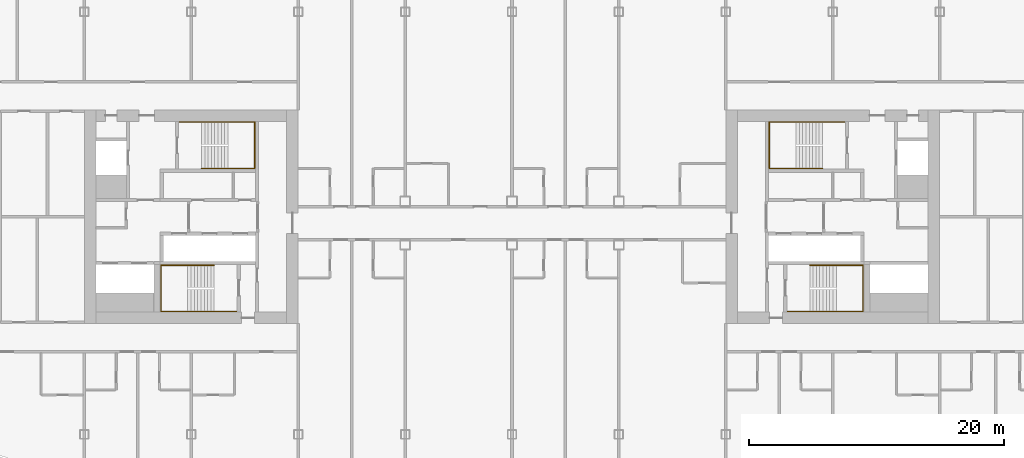
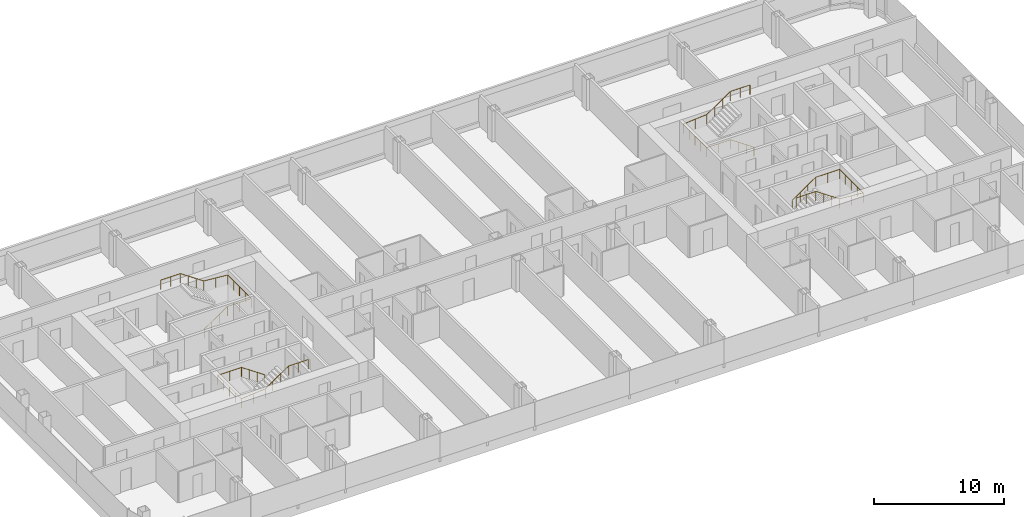
# One storey, part 26 of 26: 4 railings.
"""IFC4 building model written with IfcOpenShell, lengths in metres."""

from ifc_helpers import new_model, si_unit, direction, frame, origin, origin_2d, place, context, subcontext, project, spatial, circle, extrude, material, type_object, element, save


model = new_model("IFC4")

# Units and contexts
model_context = context("Model", 3, precision=1e-05, world=origin(), true_north=direction((0.0, 1.0)))
body_context = subcontext(model_context, "Body", "Model", "MODEL_VIEW")
ifc_project = project(units=[si_unit("LENGTHUNIT", "METRE"), si_unit("AREAUNIT", "SQUARE_METRE"), si_unit("VOLUMEUNIT", "CUBIC_METRE"), si_unit("PLANEANGLEUNIT", "RADIAN"), si_unit("MASSUNIT", "GRAM", prefix="KILO")], contexts=[model_context])

# Site, building, storey
site_placement = place(None, origin())
site = spatial("IfcSite", under=ifc_project, at=site_placement, CompositionType="ELEMENT")
building_placement = place(site_placement, origin())
building = spatial("IfcBuilding", under=site, at=building_placement, Name="Hakoniwa Tower and Hamabe Station Hall", CompositionType="ELEMENT")
storey_placement = place(building_placement, frame((0.0, 0.0, 172.60009765625)))
storey = spatial("IfcBuildingStorey", under=building, at=storey_placement, Name="L49", CompositionType="ELEMENT", Elevation=172.60009765625)

# Railings
ifc_material = material(Name="Stainless steel SUS304", Category="steel")
railing_type = type_object("IfcRailingType", Name="STAIR HANDRAIL 900", PredefinedType="HANDRAIL", material=ifc_material)
railing_1_placement = place(storey_placement, frame((-24.39990234375, 3.81005859375, 0.177734375)))
element("IfcRailing", 1, at=railing_1_placement, inside=storey, type_object=railing_type, Name="Handrail ST-1 L49 1", PredefinedType="HANDRAIL", context=body_context, shape_type="SweptSolid", body=[
    extrude(circle(Radius=0.02392578125, at=origin_2d()), frame((0.0, 0.0, 0.8759765625), z_axis=(0.825478349766, 0.0, 0.564433781827), x_axis=(0.0, 1.0, 0.0)), (0.0, 0.0, 1.0), 2.51953125),
    extrude(circle(Radius=0.02392578125, at=origin_2d()), frame((2.079833984375, 0.0, 2.2978515625), z_axis=(1.0, 0.0, 0.0), x_axis=(0.0, 1.0, 0.0)), (0.0, 0.0, 1.0), 2.110107421875),
    extrude(circle(Radius=0.02392578125, at=origin_2d()), frame((4.18994140625, 0.0, 2.2978515625), z_axis=(0.0, 1.0, 0.0), x_axis=(-1.0, 0.0, 0.0)), (0.0, 0.0, 1.0), 3.6298828125),
    extrude(circle(Radius=0.02392578125, at=origin_2d()), frame((4.18994140625, 3.6298828125, 2.2978515625), z_axis=(-0.996471417081, 0.0, 0.083932800143), x_axis=(0.0, -1.0, 0.0)), (0.0, 0.0, 1.0), 2.11767578125),
    extrude(circle(Radius=0.02392578125, at=origin_2d()), frame((2.079833984375, 3.6298828125, 2.4755859375), z_axis=(-0.825433201882, 0.0, 0.564499804456), x_axis=(0.0, -1.0, 0.0)), (0.0, 0.0, 1.0), 2.519775390625),
    extrude(circle(Radius=0.02392578125, at=origin_2d()), frame((0.0, 3.6298828125, 3.89794921875), z_axis=(-1.0, 0.0, 0.0), x_axis=(0.0, -1.0, 0.0)), (0.0, 0.0, 1.0), 1.739990234375),
    extrude(circle(Radius=0.02099609375, at=origin_2d()), origin(), (0.0, 0.0, 1.0), 0.851806640625),
    extrude(circle(Radius=0.02099609375, at=origin_2d()), frame((0.693359375, 0.0, 0.47412109375)), (0.0, 0.0, 1.0), 0.851806640625),
    extrude(circle(Radius=0.02099609375, at=origin_2d()), frame((1.386474609375, 0.0, 0.947998046875)), (0.0, 0.0, 1.0), 0.851806640625),
    extrude(circle(Radius=0.02099609375, at=origin_2d()), frame((2.079833984375, 0.0, 1.422119140625)), (0.0, 0.0, 1.0), 0.851806640625),
    extrude(circle(Radius=0.02099609375, at=origin_2d()), frame((3.134765625, 0.0, 1.422119140625)), (0.0, 0.0, 1.0), 0.851806640625),
    extrude(circle(Radius=0.02099609375, at=origin_2d()), frame((4.18994140625, 0.0, 1.422119140625)), (0.0, 0.0, 1.0), 0.851806640625),
    extrude(circle(Radius=0.02099609375, at=origin_2d()), frame((4.18994140625, 0.907470703125, 1.422119140625)), (0.0, 0.0, 1.0), 0.851806640625),
    extrude(circle(Radius=0.02099609375, at=origin_2d()), frame((4.18994140625, 1.81494140625, 1.422119140625)), (0.0, 0.0, 1.0), 0.851806640625),
    extrude(circle(Radius=0.02099609375, at=origin_2d()), frame((4.18994140625, 2.722412109375, 1.422119140625)), (0.0, 0.0, 1.0), 0.851806640625),
    extrude(circle(Radius=0.02099609375, at=origin_2d()), frame((4.18994140625, 3.6298828125, 1.422119140625)), (0.0, 0.0, 1.0), 0.851806640625),
    extrude(circle(Radius=0.02099609375, at=origin_2d()), frame((3.134765625, 3.6298828125, 1.510986328125)), (0.0, 0.0, 1.0), 0.851806640625),
    extrude(circle(Radius=0.02099609375, at=origin_2d()), frame((2.079833984375, 3.6298828125, 1.599853515625)), (0.0, 0.0, 1.0), 0.851806640625),
    extrude(circle(Radius=0.02099609375, at=origin_2d()), frame((1.386474609375, 3.6298828125, 2.073974609375)), (0.0, 0.0, 1.0), 0.851806640625),
    extrude(circle(Radius=0.02099609375, at=origin_2d()), frame((0.693359375, 3.6298828125, 2.548095703125)), (0.0, 0.0, 1.0), 0.851806640625),
    extrude(circle(Radius=0.02099609375, at=origin_2d()), frame((0.0, 3.6298828125, 3.022216796875)), (0.0, 0.0, 1.0), 0.851806640625),
    extrude(circle(Radius=0.02099609375, at=origin_2d()), frame((-0.8701171875, 3.6298828125, 3.022216796875)), (0.0, 0.0, 1.0), 0.851806640625),
    extrude(circle(Radius=0.02099609375, at=origin_2d()), frame((-1.739990234375, 3.6298828125, 3.022216796875)), (0.0, 0.0, 1.0), 0.851806640625),
])
railing_2_placement = place(storey_placement, frame((-23.39990234375, -3.81005859375, 0.177734375)))
element("IfcRailing", 2, at=railing_2_placement, inside=storey, type_object=railing_type, Name="Handrail ST-2 L49 1", PredefinedType="HANDRAIL", context=body_context, shape_type="SweptSolid", body=[
    extrude(circle(Radius=0.02392578125, at=origin_2d()), frame((0.0, 0.0, 0.8759765625), z_axis=(-0.82550921652, 0.0, 0.564388636881), x_axis=(0.0, -1.0, 0.0)), (0.0, 0.0, 1.0), 2.519775390625),
    extrude(circle(Radius=0.02392578125, at=origin_2d()), frame((-2.080078125, 0.0, 2.2978515625), z_axis=(-1.0, 0.0, 0.0), x_axis=(0.0, -1.0, 0.0)), (0.0, 0.0, 1.0), 2.110107421875),
    extrude(circle(Radius=0.02392578125, at=origin_2d()), frame((-4.190185546875, 0.0, 2.2978515625), z_axis=(0.0, -1.0, 0.0), x_axis=(1.0, 0.0, 0.0)), (0.0, 0.0, 1.0), 3.6298828125),
    extrude(circle(Radius=0.02392578125, at=origin_2d()), frame((-4.190185546875, -3.6298828125, 2.2978515625), z_axis=(0.996471417081, 0.0, 0.083932800143), x_axis=(0.0, 1.0, 0.0)), (0.0, 0.0, 1.0), 2.11767578125),
    extrude(circle(Radius=0.02392578125, at=origin_2d()), frame((-2.080078125, -3.6298828125, 2.4755859375), z_axis=(0.825464074169, 0.0, 0.564454659168), x_axis=(0.0, 1.0, 0.0)), (0.0, 0.0, 1.0), 2.519775390625),
    extrude(circle(Radius=0.02392578125, at=origin_2d()), frame((0.0, -3.6298828125, 3.89794921875), z_axis=(1.0, 0.0, 0.0), x_axis=(0.0, 1.0, 0.0)), (0.0, 0.0, 1.0), 1.739990234375),
    extrude(circle(Radius=0.02099609375, at=origin_2d()), origin(), (0.0, 0.0, 1.0), 0.851806640625),
    extrude(circle(Radius=0.02099609375, at=origin_2d()), frame((-0.693359375, 0.0, 0.47412109375)), (0.0, 0.0, 1.0), 0.851806640625),
    extrude(circle(Radius=0.02099609375, at=origin_2d()), frame((-1.38671875, 0.0, 0.947998046875)), (0.0, 0.0, 1.0), 0.851806640625),
    extrude(circle(Radius=0.02099609375, at=origin_2d()), frame((-2.080078125, 0.0, 1.422119140625)), (0.0, 0.0, 1.0), 0.851806640625),
    extrude(circle(Radius=0.02099609375, at=origin_2d()), frame((-3.13525390625, 0.0, 1.422119140625)), (0.0, 0.0, 1.0), 0.851806640625),
    extrude(circle(Radius=0.02099609375, at=origin_2d()), frame((-4.190185546875, 0.0, 1.422119140625)), (0.0, 0.0, 1.0), 0.851806640625),
    extrude(circle(Radius=0.02099609375, at=origin_2d()), frame((-4.190185546875, -0.907470703125, 1.422119140625)), (0.0, 0.0, 1.0), 0.851806640625),
    extrude(circle(Radius=0.02099609375, at=origin_2d()), frame((-4.190185546875, -1.81494140625, 1.422119140625)), (0.0, 0.0, 1.0), 0.851806640625),
    extrude(circle(Radius=0.02099609375, at=origin_2d()), frame((-4.190185546875, -2.722412109375, 1.422119140625)), (0.0, 0.0, 1.0), 0.851806640625),
    extrude(circle(Radius=0.02099609375, at=origin_2d()), frame((-4.190185546875, -3.6298828125, 1.422119140625)), (0.0, 0.0, 1.0), 0.851806640625),
    extrude(circle(Radius=0.02099609375, at=origin_2d()), frame((-3.13525390625, -3.6298828125, 1.510986328125)), (0.0, 0.0, 1.0), 0.851806640625),
    extrude(circle(Radius=0.02099609375, at=origin_2d()), frame((-2.080078125, -3.6298828125, 1.599853515625)), (0.0, 0.0, 1.0), 0.851806640625),
    extrude(circle(Radius=0.02099609375, at=origin_2d()), frame((-1.38671875, -3.6298828125, 2.073974609375)), (0.0, 0.0, 1.0), 0.851806640625),
    extrude(circle(Radius=0.02099609375, at=origin_2d()), frame((-0.693359375, -3.6298828125, 2.548095703125)), (0.0, 0.0, 1.0), 0.851806640625),
    extrude(circle(Radius=0.02099609375, at=origin_2d()), frame((0.0, -3.6298828125, 3.022216796875)), (0.0, 0.0, 1.0), 0.851806640625),
    extrude(circle(Radius=0.02099609375, at=origin_2d()), frame((0.8701171875, -3.6298828125, 3.022216796875)), (0.0, 0.0, 1.0), 0.851806640625),
    extrude(circle(Radius=0.02099609375, at=origin_2d()), frame((1.739990234375, -3.6298828125, 3.022216796875)), (0.0, 0.0, 1.0), 0.851806640625),
])
railing_3_placement = place(storey_placement, frame((24.39990234375, 3.81005859375, 0.177734375)))
element("IfcRailing", 3, at=railing_3_placement, inside=storey, type_object=railing_type, Name="Handrail ST-3 L49 1", PredefinedType="HANDRAIL", context=body_context, shape_type="SweptSolid", body=[
    extrude(circle(Radius=0.02392578125, at=origin_2d()), frame((0.0, 0.0, 0.8759765625), z_axis=(-0.825478349766, 0.0, 0.564433781827), x_axis=(0.0, -1.0, 0.0)), (0.0, 0.0, 1.0), 2.51953125),
    extrude(circle(Radius=0.02392578125, at=origin_2d()), frame((-2.079833984375, 0.0, 2.2978515625), z_axis=(-1.0, 0.0, 0.0), x_axis=(0.0, -1.0, 0.0)), (0.0, 0.0, 1.0), 2.110107421875),
    extrude(circle(Radius=0.02392578125, at=origin_2d()), frame((-4.18994140625, 0.0, 2.2978515625), z_axis=(0.0, 1.0, 0.0), x_axis=(-1.0, 0.0, 0.0)), (0.0, 0.0, 1.0), 3.6298828125),
    extrude(circle(Radius=0.02392578125, at=origin_2d()), frame((-4.18994140625, 3.6298828125, 2.2978515625), z_axis=(0.996471417081, 0.0, 0.083932800143), x_axis=(0.0, 1.0, 0.0)), (0.0, 0.0, 1.0), 2.11767578125),
    extrude(circle(Radius=0.02392578125, at=origin_2d()), frame((-2.079833984375, 3.6298828125, 2.4755859375), z_axis=(0.825433201882, 0.0, 0.564499804456), x_axis=(0.0, 1.0, 0.0)), (0.0, 0.0, 1.0), 2.519775390625),
    extrude(circle(Radius=0.02392578125, at=origin_2d()), frame((0.0, 3.6298828125, 3.89794921875), z_axis=(1.0, 0.0, 0.0), x_axis=(0.0, 1.0, 0.0)), (0.0, 0.0, 1.0), 1.739990234375),
    extrude(circle(Radius=0.02099609375, at=origin_2d()), origin(), (0.0, 0.0, 1.0), 0.851806640625),
    extrude(circle(Radius=0.02099609375, at=origin_2d()), frame((-0.693359375, 0.0, 0.47412109375)), (0.0, 0.0, 1.0), 0.851806640625),
    extrude(circle(Radius=0.02099609375, at=origin_2d()), frame((-1.386474609375, 0.0, 0.947998046875)), (0.0, 0.0, 1.0), 0.851806640625),
    extrude(circle(Radius=0.02099609375, at=origin_2d()), frame((-2.079833984375, 0.0, 1.422119140625)), (0.0, 0.0, 1.0), 0.851806640625),
    extrude(circle(Radius=0.02099609375, at=origin_2d()), frame((-3.134765625, 0.0, 1.422119140625)), (0.0, 0.0, 1.0), 0.851806640625),
    extrude(circle(Radius=0.02099609375, at=origin_2d()), frame((-4.18994140625, 0.0, 1.422119140625)), (0.0, 0.0, 1.0), 0.851806640625),
    extrude(circle(Radius=0.02099609375, at=origin_2d()), frame((-4.18994140625, 0.907470703125, 1.422119140625)), (0.0, 0.0, 1.0), 0.851806640625),
    extrude(circle(Radius=0.02099609375, at=origin_2d()), frame((-4.18994140625, 1.81494140625, 1.422119140625)), (0.0, 0.0, 1.0), 0.851806640625),
    extrude(circle(Radius=0.02099609375, at=origin_2d()), frame((-4.18994140625, 2.722412109375, 1.422119140625)), (0.0, 0.0, 1.0), 0.851806640625),
    extrude(circle(Radius=0.02099609375, at=origin_2d()), frame((-4.18994140625, 3.6298828125, 1.422119140625)), (0.0, 0.0, 1.0), 0.851806640625),
    extrude(circle(Radius=0.02099609375, at=origin_2d()), frame((-3.134765625, 3.6298828125, 1.510986328125)), (0.0, 0.0, 1.0), 0.851806640625),
    extrude(circle(Radius=0.02099609375, at=origin_2d()), frame((-2.079833984375, 3.6298828125, 1.599853515625)), (0.0, 0.0, 1.0), 0.851806640625),
    extrude(circle(Radius=0.02099609375, at=origin_2d()), frame((-1.386474609375, 3.6298828125, 2.073974609375)), (0.0, 0.0, 1.0), 0.851806640625),
    extrude(circle(Radius=0.02099609375, at=origin_2d()), frame((-0.693359375, 3.6298828125, 2.548095703125)), (0.0, 0.0, 1.0), 0.851806640625),
    extrude(circle(Radius=0.02099609375, at=origin_2d()), frame((0.0, 3.6298828125, 3.022216796875)), (0.0, 0.0, 1.0), 0.851806640625),
    extrude(circle(Radius=0.02099609375, at=origin_2d()), frame((0.8701171875, 3.6298828125, 3.022216796875)), (0.0, 0.0, 1.0), 0.851806640625),
    extrude(circle(Radius=0.02099609375, at=origin_2d()), frame((1.739990234375, 3.6298828125, 3.022216796875)), (0.0, 0.0, 1.0), 0.851806640625),
])
railing_4_placement = place(storey_placement, frame((23.39990234375, -3.81005859375, 0.177734375)))
element("IfcRailing", 4, at=railing_4_placement, inside=storey, type_object=railing_type, Name="Handrail ST-4 L49 1", PredefinedType="HANDRAIL", context=body_context, shape_type="SweptSolid", body=[
    extrude(circle(Radius=0.02392578125, at=origin_2d()), frame((0.0, 0.0, 0.8759765625), z_axis=(0.82550921652, 0.0, 0.564388636881), x_axis=(0.0, 1.0, 0.0)), (0.0, 0.0, 1.0), 2.519775390625),
    extrude(circle(Radius=0.02392578125, at=origin_2d()), frame((2.080078125, 0.0, 2.2978515625), z_axis=(1.0, 0.0, 0.0), x_axis=(0.0, 1.0, 0.0)), (0.0, 0.0, 1.0), 2.110107421875),
    extrude(circle(Radius=0.02392578125, at=origin_2d()), frame((4.190185546875, 0.0, 2.2978515625), z_axis=(0.0, -1.0, 0.0), x_axis=(1.0, 0.0, 0.0)), (0.0, 0.0, 1.0), 3.6298828125),
    extrude(circle(Radius=0.02392578125, at=origin_2d()), frame((4.190185546875, -3.6298828125, 2.2978515625), z_axis=(-0.996471417081, 0.0, 0.083932800143), x_axis=(0.0, -1.0, 0.0)), (0.0, 0.0, 1.0), 2.11767578125),
    extrude(circle(Radius=0.02392578125, at=origin_2d()), frame((2.080078125, -3.6298828125, 2.4755859375), z_axis=(-0.825464074169, 0.0, 0.564454659168), x_axis=(0.0, -1.0, 0.0)), (0.0, 0.0, 1.0), 2.519775390625),
    extrude(circle(Radius=0.02392578125, at=origin_2d()), frame((0.0, -3.6298828125, 3.89794921875), z_axis=(-1.0, 0.0, 0.0), x_axis=(0.0, -1.0, 0.0)), (0.0, 0.0, 1.0), 1.739990234375),
    extrude(circle(Radius=0.02099609375, at=origin_2d()), origin(), (0.0, 0.0, 1.0), 0.851806640625),
    extrude(circle(Radius=0.02099609375, at=origin_2d()), frame((0.693359375, 0.0, 0.47412109375)), (0.0, 0.0, 1.0), 0.851806640625),
    extrude(circle(Radius=0.02099609375, at=origin_2d()), frame((1.38671875, 0.0, 0.947998046875)), (0.0, 0.0, 1.0), 0.851806640625),
    extrude(circle(Radius=0.02099609375, at=origin_2d()), frame((2.080078125, 0.0, 1.422119140625)), (0.0, 0.0, 1.0), 0.851806640625),
    extrude(circle(Radius=0.02099609375, at=origin_2d()), frame((3.13525390625, 0.0, 1.422119140625)), (0.0, 0.0, 1.0), 0.851806640625),
    extrude(circle(Radius=0.02099609375, at=origin_2d()), frame((4.190185546875, 0.0, 1.422119140625)), (0.0, 0.0, 1.0), 0.851806640625),
    extrude(circle(Radius=0.02099609375, at=origin_2d()), frame((4.190185546875, -0.907470703125, 1.422119140625)), (0.0, 0.0, 1.0), 0.851806640625),
    extrude(circle(Radius=0.02099609375, at=origin_2d()), frame((4.190185546875, -1.81494140625, 1.422119140625)), (0.0, 0.0, 1.0), 0.851806640625),
    extrude(circle(Radius=0.02099609375, at=origin_2d()), frame((4.190185546875, -2.722412109375, 1.422119140625)), (0.0, 0.0, 1.0), 0.851806640625),
    extrude(circle(Radius=0.02099609375, at=origin_2d()), frame((4.190185546875, -3.6298828125, 1.422119140625)), (0.0, 0.0, 1.0), 0.851806640625),
    extrude(circle(Radius=0.02099609375, at=origin_2d()), frame((3.13525390625, -3.6298828125, 1.510986328125)), (0.0, 0.0, 1.0), 0.851806640625),
    extrude(circle(Radius=0.02099609375, at=origin_2d()), frame((2.080078125, -3.6298828125, 1.599853515625)), (0.0, 0.0, 1.0), 0.851806640625),
    extrude(circle(Radius=0.02099609375, at=origin_2d()), frame((1.38671875, -3.6298828125, 2.073974609375)), (0.0, 0.0, 1.0), 0.851806640625),
    extrude(circle(Radius=0.02099609375, at=origin_2d()), frame((0.693359375, -3.6298828125, 2.548095703125)), (0.0, 0.0, 1.0), 0.851806640625),
    extrude(circle(Radius=0.02099609375, at=origin_2d()), frame((0.0, -3.6298828125, 3.022216796875)), (0.0, 0.0, 1.0), 0.851806640625),
    extrude(circle(Radius=0.02099609375, at=origin_2d()), frame((-0.8701171875, -3.6298828125, 3.022216796875)), (0.0, 0.0, 1.0), 0.851806640625),
    extrude(circle(Radius=0.02099609375, at=origin_2d()), frame((-1.739990234375, -3.6298828125, 3.022216796875)), (0.0, 0.0, 1.0), 0.851806640625),
])

save(model, "model.ifc")
